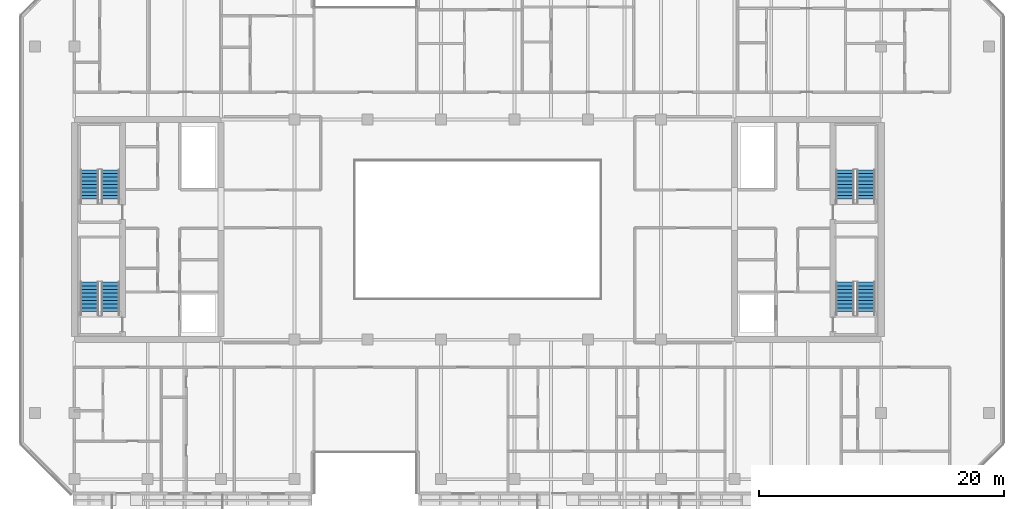
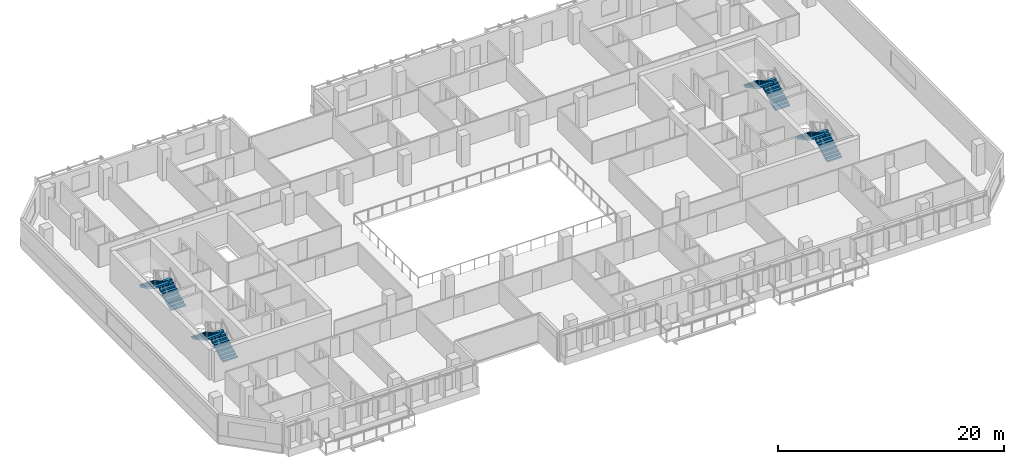
# One storey, part 15 of 20: 8 stair flights, 4 elements without a shape of their own.
"""IFC4 building model written with IfcOpenShell, lengths in metres."""

from ifc_helpers import new_model, si_unit, direction, frame, origin, place, context, subcontext, project, spatial, polyline, outline, extrude, material, type_object, element, aggregate, save


model = new_model("IFC4")

# Units and contexts
model_context = context("Model", 3, precision=1e-05, world=origin(), true_north=direction((0.0, 1.0)))
body_context = subcontext(model_context, "Body", "Model", "MODEL_VIEW")
ifc_project = project(units=[si_unit("LENGTHUNIT", "METRE"), si_unit("AREAUNIT", "SQUARE_METRE"), si_unit("VOLUMEUNIT", "CUBIC_METRE"), si_unit("PLANEANGLEUNIT", "RADIAN"), si_unit("MASSUNIT", "GRAM", prefix="KILO")], contexts=[model_context])

# Site, building, storey
site_placement = place(None, origin())
site = spatial("IfcSite", under=ifc_project, at=site_placement, CompositionType="ELEMENT")
building_placement = place(site_placement, origin())
building = spatial("IfcBuilding", under=site, at=building_placement, Name="Tanjung Sevakor Pilgrim Tower", CompositionType="ELEMENT")
storey_placement = place(building_placement, frame((0.0, 0.0, 141.89990234375)))
storey = spatial("IfcBuildingStorey", under=building, at=storey_placement, Name="L39", CompositionType="ELEMENT", Elevation=141.89990234375)

# Stair, stair flights
ifc_material_1 = material(Name="Concrete C40/50", Category="concrete")
stair_type = type_object("IfcStairType", Name="STAIR-ST-CR150", PredefinedType="HALF_TURN_STAIR", material=ifc_material_1)
stair_1_placement = place(storey_placement, origin())
stair_1 = element("IfcStair", 1, at=stair_1_placement, inside=storey, type_object=stair_type, Name="L39 West Core Exit Stair 1", PredefinedType="HALF_TURN_STAIR")
ifc_material_2 = material(Name="Concrete C40/50", Category="concrete")
stair_flight_type = type_object("IfcStairFlightType", Name="FLIGHT-ST-CR150", PredefinedType="STRAIGHT", material=ifc_material_2)
stair_flight_1_placement = place(storey_placement, frame((26.949951171875, 26.60009765625, 0.0), z_axis=(0.0, 0.0, 1.0), x_axis=(0.0, 1.0, 0.0)))
stair_flight_1 = element("IfcStairFlight", 2, at=stair_flight_1_placement, type_object=stair_flight_type, Name="TS-W1 flight 1", NumberOfRisers=10, NumberOfTreads=9, PredefinedType="STRAIGHT", RiserHeight=0.165, TreadLength=0.3, context=body_context, shape_type="SweptSolid", body=[
    extrude(outline(polyline([(0.0, 0.0), (0.0, 0.1650390625), (0.300048828125, 0.1650390625), (0.300048828125, 0.330078125), (0.60009765625, 0.330078125), (0.60009765625, 0.4951171875), (0.89990234375, 0.4951171875), (0.89990234375, 0.659912109375), (1.199951171875, 0.659912109375), (1.199951171875, 0.824951171875), (1.5, 0.824951171875), (1.5, 0.989990234375), (1.800048828125, 0.989990234375), (1.800048828125, 1.155029296875), (2.10009765625, 1.155029296875), (2.10009765625, 1.320068359375), (2.39990234375, 1.320068359375), (2.39990234375, 1.485107421875), (2.699951171875, 1.485107421875), (2.699951171875, 1.64990234375), (2.699951171875, 1.302490234375), (0.331787109375, 0.0), (0.0, 0.0)])), frame((0.0, 0.75, 0.0), z_axis=(0.0, -1.0, 0.0), x_axis=(1.0, 0.0, 0.0)), (0.0, 0.0, 1.0), 1.5),
])
stair_flight_2_placement = place(storey_placement, frame((25.25, 29.300048828125, 1.650146484375), z_axis=(0.0, 0.0, 1.0), x_axis=(0.0, -1.0, 0.0)))
stair_flight_2 = element("IfcStairFlight", 3, at=stair_flight_2_placement, type_object=stair_flight_type, Name="TS-W1 flight 2", NumberOfRisers=10, NumberOfTreads=9, PredefinedType="STRAIGHT", RiserHeight=0.165, TreadLength=0.3, context=body_context, shape_type="SweptSolid", body=[
    extrude(outline(polyline([(0.0, 0.0), (0.0, 0.1650390625), (0.300048828125, 0.1650390625), (0.300048828125, 0.330078125), (0.60009765625, 0.330078125), (0.60009765625, 0.4951171875), (0.89990234375, 0.4951171875), (0.89990234375, 0.659912109375), (1.199951171875, 0.659912109375), (1.199951171875, 0.824951171875), (1.5, 0.824951171875), (1.5, 0.989990234375), (1.800048828125, 0.989990234375), (1.800048828125, 1.155029296875), (2.10009765625, 1.155029296875), (2.10009765625, 1.320068359375), (2.39990234375, 1.320068359375), (2.39990234375, 1.485107421875), (2.699951171875, 1.485107421875), (2.699951171875, 1.64990234375), (2.699951171875, 1.302490234375), (0.331787109375, 0.0), (0.0, 0.0)])), frame((0.0, 0.75, 0.0), z_axis=(0.0, -1.0, 0.0), x_axis=(1.0, 0.0, 0.0)), (0.0, 0.0, 1.0), 1.5),
])
aggregate(stair_1, [stair_flight_1, stair_flight_2])

stair_2_placement = place(storey_placement, origin())
stair_2 = element("IfcStair", 4, at=stair_2_placement, inside=storey, type_object=stair_type, Name="L39 West Core Exit Stair 2", PredefinedType="HALF_TURN_STAIR")
stair_flight_3_placement = place(storey_placement, frame((26.949951171875, 35.800048828125, 0.0), z_axis=(0.0, 0.0, 1.0), x_axis=(0.0, 1.0, 0.0)))
stair_flight_3 = element("IfcStairFlight", 5, at=stair_flight_3_placement, type_object=stair_flight_type, Name="TS-W2 flight 1", NumberOfRisers=10, NumberOfTreads=9, PredefinedType="STRAIGHT", RiserHeight=0.165, TreadLength=0.3, context=body_context, shape_type="SweptSolid", body=[
    extrude(outline(polyline([(0.0, 0.0), (0.0, 0.1650390625), (0.300048828125, 0.1650390625), (0.300048828125, 0.330078125), (0.60009765625, 0.330078125), (0.60009765625, 0.4951171875), (0.89990234375, 0.4951171875), (0.89990234375, 0.659912109375), (1.199951171875, 0.659912109375), (1.199951171875, 0.824951171875), (1.5, 0.824951171875), (1.5, 0.989990234375), (1.800048828125, 0.989990234375), (1.800048828125, 1.155029296875), (2.10009765625, 1.155029296875), (2.10009765625, 1.320068359375), (2.39990234375, 1.320068359375), (2.39990234375, 1.485107421875), (2.699951171875, 1.485107421875), (2.699951171875, 1.64990234375), (2.699951171875, 1.302490234375), (0.331787109375, 0.0), (0.0, 0.0)])), frame((0.0, 0.75, 0.0), z_axis=(0.0, -1.0, 0.0), x_axis=(1.0, 0.0, 0.0)), (0.0, 0.0, 1.0), 1.5),
])
stair_flight_4_placement = place(storey_placement, frame((25.25, 38.5, 1.650146484375), z_axis=(0.0, 0.0, 1.0), x_axis=(0.0, -1.0, 0.0)))
stair_flight_4 = element("IfcStairFlight", 6, at=stair_flight_4_placement, type_object=stair_flight_type, Name="TS-W2 flight 2", NumberOfRisers=10, NumberOfTreads=9, PredefinedType="STRAIGHT", RiserHeight=0.165, TreadLength=0.3, context=body_context, shape_type="SweptSolid", body=[
    extrude(outline(polyline([(0.0, 0.0), (0.0, 0.1650390625), (0.300048828125, 0.1650390625), (0.300048828125, 0.330078125), (0.60009765625, 0.330078125), (0.60009765625, 0.4951171875), (0.89990234375, 0.4951171875), (0.89990234375, 0.659912109375), (1.199951171875, 0.659912109375), (1.199951171875, 0.824951171875), (1.5, 0.824951171875), (1.5, 0.989990234375), (1.800048828125, 0.989990234375), (1.800048828125, 1.155029296875), (2.10009765625, 1.155029296875), (2.10009765625, 1.320068359375), (2.39990234375, 1.320068359375), (2.39990234375, 1.485107421875), (2.699951171875, 1.485107421875), (2.699951171875, 1.64990234375), (2.699951171875, 1.302490234375), (0.331787109375, 0.0), (0.0, 0.0)])), frame((0.0, 0.75, 0.0), z_axis=(0.0, -1.0, 0.0), x_axis=(1.0, 0.0, 0.0)), (0.0, 0.0, 1.0), 1.5),
])
aggregate(stair_2, [stair_flight_3, stair_flight_4])

stair_3_placement = place(storey_placement, origin())
stair_3 = element("IfcStair", 7, at=stair_3_placement, inside=storey, type_object=stair_type, Name="L39 East Core Exit Stair 1", PredefinedType="HALF_TURN_STAIR")
stair_flight_5_placement = place(storey_placement, frame((88.75, 26.60009765625, 0.0), z_axis=(0.0, 0.0, 1.0), x_axis=(0.0, 1.0, 0.0)))
stair_flight_5 = element("IfcStairFlight", 8, at=stair_flight_5_placement, type_object=stair_flight_type, Name="TS-E1 flight 1", NumberOfRisers=10, NumberOfTreads=9, PredefinedType="STRAIGHT", RiserHeight=0.165, TreadLength=0.3, context=body_context, shape_type="SweptSolid", body=[
    extrude(outline(polyline([(0.0, 0.0), (0.0, 0.1650390625), (0.300048828125, 0.1650390625), (0.300048828125, 0.330078125), (0.60009765625, 0.330078125), (0.60009765625, 0.4951171875), (0.89990234375, 0.4951171875), (0.89990234375, 0.659912109375), (1.199951171875, 0.659912109375), (1.199951171875, 0.824951171875), (1.5, 0.824951171875), (1.5, 0.989990234375), (1.800048828125, 0.989990234375), (1.800048828125, 1.155029296875), (2.10009765625, 1.155029296875), (2.10009765625, 1.320068359375), (2.39990234375, 1.320068359375), (2.39990234375, 1.485107421875), (2.699951171875, 1.485107421875), (2.699951171875, 1.64990234375), (2.699951171875, 1.302490234375), (0.331787109375, 0.0), (0.0, 0.0)])), frame((0.0, 0.75, 0.0), z_axis=(0.0, -1.0, 0.0), x_axis=(1.0, 0.0, 0.0)), (0.0, 0.0, 1.0), 1.5),
])
stair_flight_6_placement = place(storey_placement, frame((87.050048828125, 29.300048828125, 1.650146484375), z_axis=(0.0, 0.0, 1.0), x_axis=(0.0, -1.0, 0.0)))
stair_flight_6 = element("IfcStairFlight", 9, at=stair_flight_6_placement, type_object=stair_flight_type, Name="TS-E1 flight 2", NumberOfRisers=10, NumberOfTreads=9, PredefinedType="STRAIGHT", RiserHeight=0.165, TreadLength=0.3, context=body_context, shape_type="SweptSolid", body=[
    extrude(outline(polyline([(0.0, 0.0), (0.0, 0.1650390625), (0.300048828125, 0.1650390625), (0.300048828125, 0.330078125), (0.60009765625, 0.330078125), (0.60009765625, 0.4951171875), (0.89990234375, 0.4951171875), (0.89990234375, 0.659912109375), (1.199951171875, 0.659912109375), (1.199951171875, 0.824951171875), (1.5, 0.824951171875), (1.5, 0.989990234375), (1.800048828125, 0.989990234375), (1.800048828125, 1.155029296875), (2.10009765625, 1.155029296875), (2.10009765625, 1.320068359375), (2.39990234375, 1.320068359375), (2.39990234375, 1.485107421875), (2.699951171875, 1.485107421875), (2.699951171875, 1.64990234375), (2.699951171875, 1.302490234375), (0.331787109375, 0.0), (0.0, 0.0)])), frame((0.0, 0.75, 0.0), z_axis=(0.0, -1.0, 0.0), x_axis=(1.0, 0.0, 0.0)), (0.0, 0.0, 1.0), 1.5),
])
aggregate(stair_3, [stair_flight_5, stair_flight_6])

stair_4_placement = place(storey_placement, origin())
stair_4 = element("IfcStair", 10, at=stair_4_placement, inside=storey, type_object=stair_type, Name="L39 East Core Exit Stair 2", PredefinedType="HALF_TURN_STAIR")
stair_flight_7_placement = place(storey_placement, frame((88.75, 35.800048828125, 0.0), z_axis=(0.0, 0.0, 1.0), x_axis=(0.0, 1.0, 0.0)))
stair_flight_7 = element("IfcStairFlight", 11, at=stair_flight_7_placement, type_object=stair_flight_type, Name="TS-E2 flight 1", NumberOfRisers=10, NumberOfTreads=9, PredefinedType="STRAIGHT", RiserHeight=0.165, TreadLength=0.3, context=body_context, shape_type="SweptSolid", body=[
    extrude(outline(polyline([(0.0, 0.0), (0.0, 0.1650390625), (0.300048828125, 0.1650390625), (0.300048828125, 0.330078125), (0.60009765625, 0.330078125), (0.60009765625, 0.4951171875), (0.89990234375, 0.4951171875), (0.89990234375, 0.659912109375), (1.199951171875, 0.659912109375), (1.199951171875, 0.824951171875), (1.5, 0.824951171875), (1.5, 0.989990234375), (1.800048828125, 0.989990234375), (1.800048828125, 1.155029296875), (2.10009765625, 1.155029296875), (2.10009765625, 1.320068359375), (2.39990234375, 1.320068359375), (2.39990234375, 1.485107421875), (2.699951171875, 1.485107421875), (2.699951171875, 1.64990234375), (2.699951171875, 1.302490234375), (0.331787109375, 0.0), (0.0, 0.0)])), frame((0.0, 0.75, 0.0), z_axis=(0.0, -1.0, 0.0), x_axis=(1.0, 0.0, 0.0)), (0.0, 0.0, 1.0), 1.5),
])
stair_flight_8_placement = place(storey_placement, frame((87.050048828125, 38.5, 1.650146484375), z_axis=(0.0, 0.0, 1.0), x_axis=(0.0, -1.0, 0.0)))
stair_flight_8 = element("IfcStairFlight", 12, at=stair_flight_8_placement, type_object=stair_flight_type, Name="TS-E2 flight 2", NumberOfRisers=10, NumberOfTreads=9, PredefinedType="STRAIGHT", RiserHeight=0.165, TreadLength=0.3, context=body_context, shape_type="SweptSolid", body=[
    extrude(outline(polyline([(0.0, 0.0), (0.0, 0.1650390625), (0.300048828125, 0.1650390625), (0.300048828125, 0.330078125), (0.60009765625, 0.330078125), (0.60009765625, 0.4951171875), (0.89990234375, 0.4951171875), (0.89990234375, 0.659912109375), (1.199951171875, 0.659912109375), (1.199951171875, 0.824951171875), (1.5, 0.824951171875), (1.5, 0.989990234375), (1.800048828125, 0.989990234375), (1.800048828125, 1.155029296875), (2.10009765625, 1.155029296875), (2.10009765625, 1.320068359375), (2.39990234375, 1.320068359375), (2.39990234375, 1.485107421875), (2.699951171875, 1.485107421875), (2.699951171875, 1.64990234375), (2.699951171875, 1.302490234375), (0.331787109375, 0.0), (0.0, 0.0)])), frame((0.0, 0.75, 0.0), z_axis=(0.0, -1.0, 0.0), x_axis=(1.0, 0.0, 0.0)), (0.0, 0.0, 1.0), 1.5),
])
aggregate(stair_4, [stair_flight_7, stair_flight_8])

save(model, "model.ifc")
